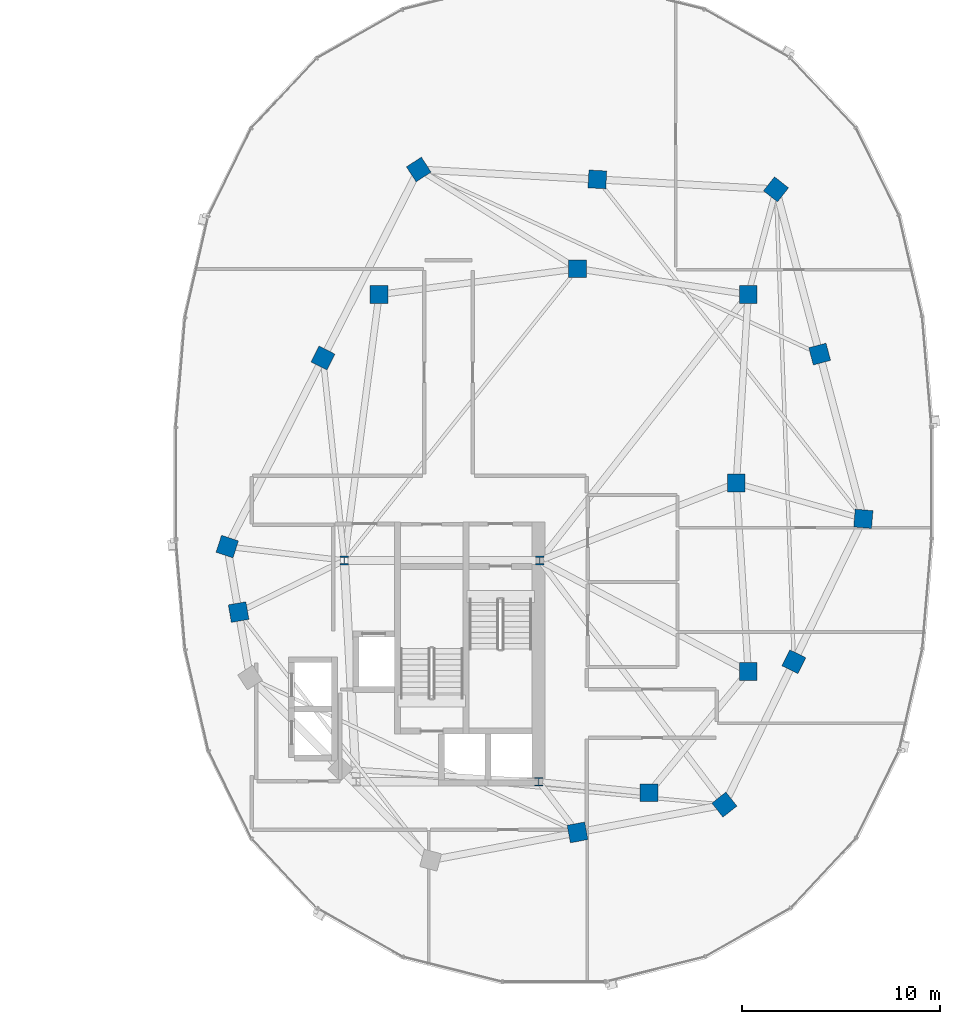
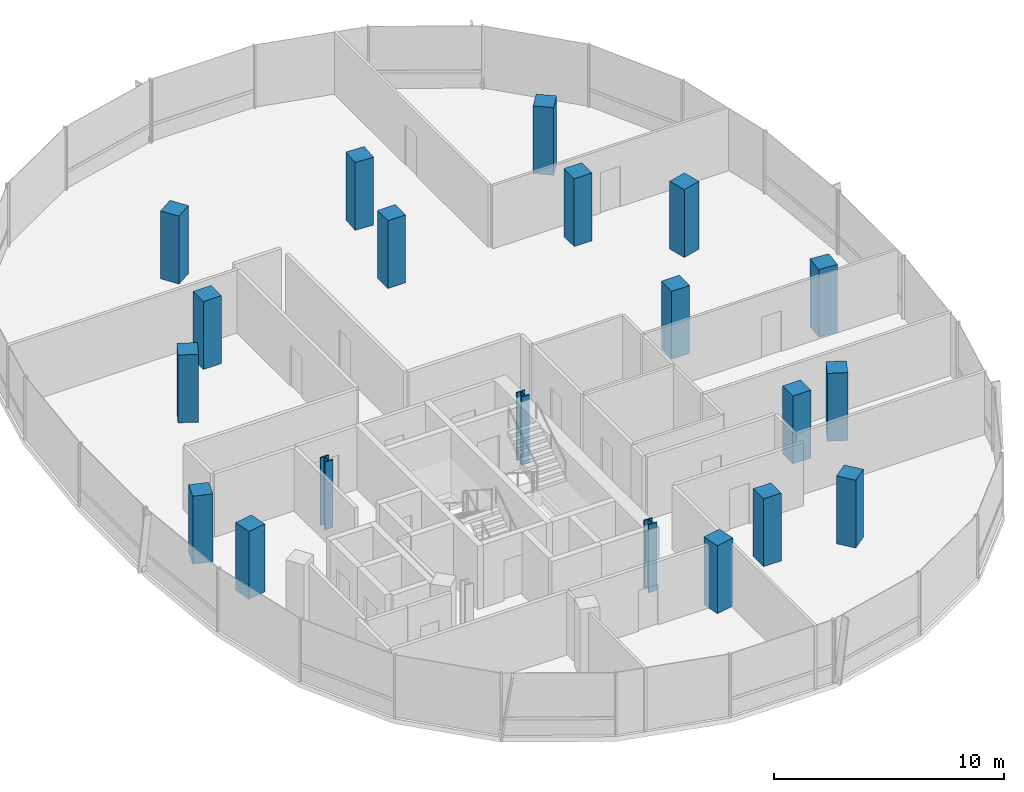
# One storey, part 2 of 25: 20 columns.
"""IFC4 building model written with IfcOpenShell, lengths in metres."""

from ifc_helpers import new_model, si_unit, direction, frame, origin, origin_2d, place, context, subcontext, project, spatial, rectangle, i_section, extrude, material, material_profile, profile_set, type_object, element, save


model = new_model("IFC4")

# Units and contexts
model_context = context("Model", 3, precision=1e-05, world=origin(), true_north=direction((0.0, 1.0)))
body_context = subcontext(model_context, "Body", "Model", "MODEL_VIEW")
ifc_project = project(units=[si_unit("LENGTHUNIT", "METRE"), si_unit("AREAUNIT", "SQUARE_METRE"), si_unit("VOLUMEUNIT", "CUBIC_METRE"), si_unit("PLANEANGLEUNIT", "RADIAN"), si_unit("MASSUNIT", "GRAM", prefix="KILO"), si_unit("THERMODYNAMICTEMPERATUREUNIT", "KELVIN"), si_unit("POWERUNIT", "WATT")], contexts=[model_context])

# Site, building, storey
site_placement = place(None, origin())
site = spatial("IfcSite", under=ifc_project, at=site_placement, CompositionType="ELEMENT")
building_placement = place(site_placement, origin())
building = spatial("IfcBuilding", under=site, at=building_placement, Name="Cundina Bronze Exchange", CompositionType="ELEMENT")
storey_placement = place(building_placement, frame((0.0, 0.0, 217.0)))
storey = spatial("IfcBuildingStorey", under=building, at=storey_placement, Name="L57", CompositionType="ELEMENT", Elevation=217.0)

# Columns
ifc_material_1 = material(Name="Steel ASTM A992 Grade 50", Category="steel")
ifc_material_profile_1 = material_profile(ifc_material_1, i_section(OverallWidth=0.416015625, OverallDepth=0.446044921875, WebThickness=0.0390625, FlangeThickness=0.062744140625, FilletRadius=0.01806640625, at=origin_2d()), Name="W14X342", Category="steel")
ifc_profile_set_1 = profile_set([ifc_material_profile_1], Name="Steel ASTM A992 Grade 50")
column_type_1 = type_object("IfcColumnType", Name="COL-STL-W14B", PredefinedType="COLUMN", material=ifc_profile_set_1)
for number, where, z_axis, x_axis, name in (
    (1, (31.300048828125, -3.89990234375, 0.0), (0.0, 0.0, 1.0), (1.0, 0.0, 0.0), "L57 Core Anchor Column E1"),
    (2, (21.449951171875, -3.89990234375, 0.0), (0.0, 0.0, 1.0), (1.0, 0.0, 0.0), "L57 Core Anchor Column E2"),
    (3, (31.25, -15.050048828125, 0.0), (0.0, 0.0, 1.0), (1.0, 0.0, 0.0), "L57 Core Anchor Column E4"),
):
    element("IfcColumn", number, at=place(storey_placement, frame(where, z_axis=z_axis, x_axis=x_axis)), inside=storey, type_object=column_type_1, Name=name, PredefinedType="COLUMN", context=body_context, shape_type="SweptSolid", body=[
        extrude(i_section(OverallWidth=0.416015625, OverallDepth=0.446044921875, WebThickness=0.0390625, FlangeThickness=0.062744140625, FilletRadius=0.01806640625, at=origin_2d()), origin(), (0.0, 0.0, 1.0), 3.60009765625),
    ])
ifc_material_2 = material(Name="Concrete C50/60", Category="concrete")
ifc_material_profile_2 = material_profile(ifc_material_2, rectangle(XDim=0.89990234375, YDim=0.89990234375, at=origin_2d()), Name="RC900X900", Category="concrete")
ifc_profile_set_2 = profile_set([ifc_material_profile_2], Name="Concrete C50/60")
column_type_2 = type_object("IfcColumnType", Name="COL-Z4-900", PredefinedType="COLUMN", material=ifc_profile_set_2)
for number, where, z_axis, x_axis, name in (
    (4, (41.199951171875, 0.0, 0.0), (0.0, 0.0, 1.0), (1.0, 0.0, 0.0), "L57 E Inner Ring Column 1"),
    (5, (41.800048828125, -9.5, 0.0), (0.0, 0.0, 1.0), (1.0, 0.0, 0.0), "L57 E Inner Ring Column 2"),
    (6, (36.800048828125, -15.60009765625, 0.0), (0.0, 0.0, 1.0), (1.0, 0.0, 0.0), "L57 E Inner Ring Column 3"),
    (7, (41.800048828125, 9.5, 0.0), (0.0, 0.0, 1.0), (1.0, 0.0, 0.0), "L57 E Inner Ring Column 4"),
    (8, (33.199951171875, 10.800048828125, 0.0), (0.0, 0.0, 1.0), (1.0, 0.0, 0.0), "L57 E Inner Ring Column 5"),
    (9, (23.199951171875, 9.5, 0.0), (0.0, 0.0, 1.0), (1.0, 0.0, 0.0), "L57 E Inner Ring Column 6"),
    (10, (15.550048828125, -3.199951171875, 0.0), (0.0, 0.0, 1.0), (-0.315152163383, -0.949041155016, 0.0), "L57 E Perimeter Column 00"),
    (11, (16.125, -6.5, 0.0), (0.0, 0.0, 1.0), (0.171585221787, -0.985169280715, 0.0), "L57 E Perimeter Column 01"),
    (12, (33.199951171875, -17.60009765625, 0.0), (0.0, 0.0, 1.0), (0.98258037664, 0.185838110843, 0.0), "L57 E Perimeter Column 05"),
    (13, (40.60009765625, -16.199951171875, 0.0), (0.0, 0.0, 1.0), (0.785100778485, 0.619368038909, 0.0), "L57 E Perimeter Column 06"),
    (14, (44.10009765625, -9.0, 0.0), (0.0, 0.0, 1.0), (0.437115766651, 0.899405251566, 0.0), "L57 E Perimeter Column 07"),
    (15, (47.60009765625, -1.800048828125, 0.0), (0.0, 0.0, 1.0), (0.083503921245, 0.996507448611, 0.0), "L57 E Perimeter Column 08"),
    (16, (45.39990234375, 6.5, 0.0), (0.0, 0.0, 1.0), (-0.256289373133, 0.966600102017, 0.0), "L57 E Perimeter Column 09"),
    (17, (43.199951171875, 14.800048828125, 0.0), (0.0, 0.0, 1.0), (-0.786288432137, 0.61785961309, 0.0), "L57 E Perimeter Column 10"),
    (18, (34.199951171875, 15.300048828125, 0.0), (0.0, 0.0, 1.0), (-0.998460188734, 0.055472980025, 0.0), "L57 E Perimeter Column 11"),
    (19, (25.199951171875, 15.800048828125, 0.0), (0.0, 0.0, 1.0), (-0.838099763533, -0.545516989988, 0.0), "L57 E Perimeter Column 12"),
    (20, (20.375, 6.300048828125, 0.0), (0.0, 0.0, 1.0), (-0.452901591366, -0.891560513111, 0.0), "L57 E Perimeter Column 13"),
):
    element("IfcColumn", number, at=place(storey_placement, frame(where, z_axis=z_axis, x_axis=x_axis)), inside=storey, type_object=column_type_2, Name=name, PredefinedType="COLUMN", context=body_context, shape_type="SweptSolid", body=[
        extrude(rectangle(XDim=0.89990234375, YDim=0.89990234375, at=origin_2d()), origin(), (0.0, 0.0, 1.0), 3.60009765625),
    ])

save(model, "model.ifc")
